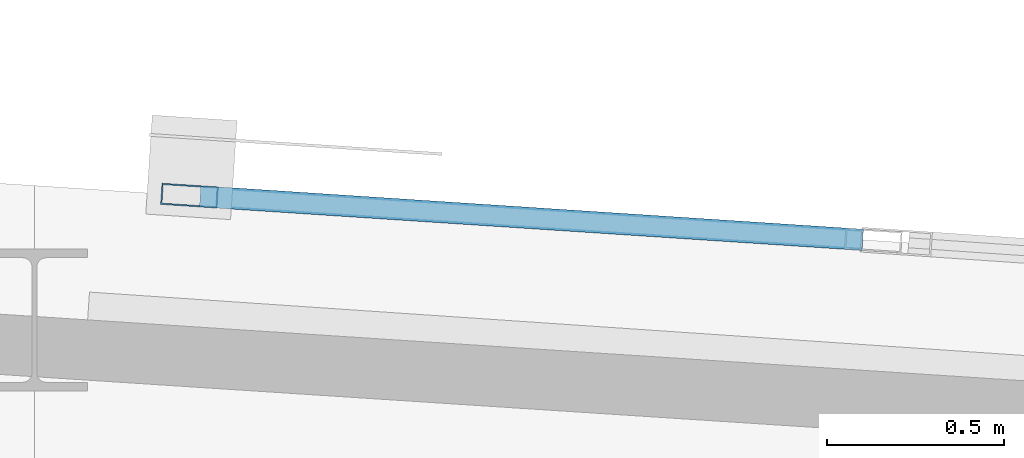
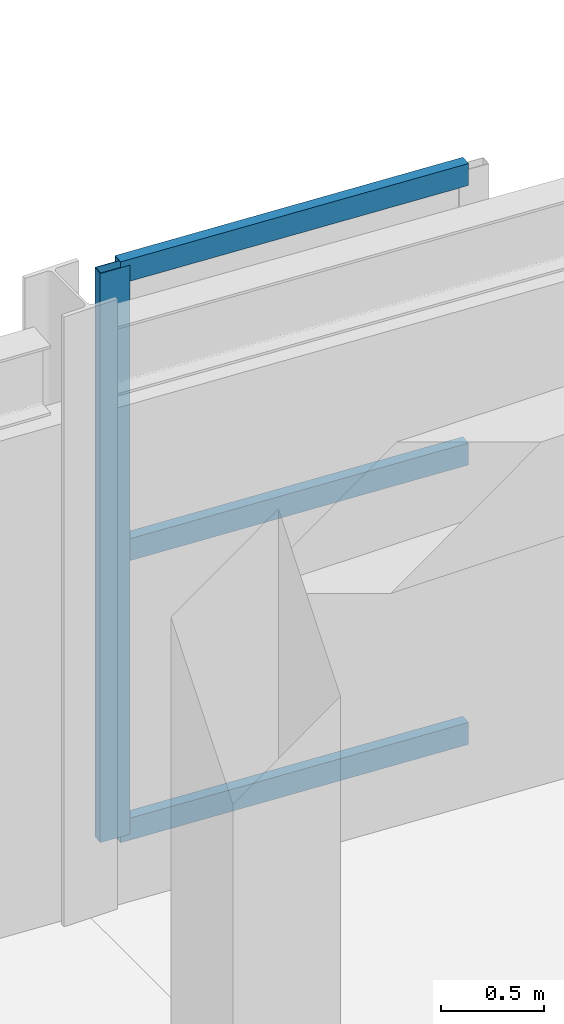
# One storey, part 22 of 51: 4 members, 1 element without a shape of its own.
"""IFC4 building model written with IfcOpenShell, lengths in metres."""

from ifc_helpers import new_model, si_unit, direction, frame, origin, origin_2d, place, context, subcontext, project, spatial, hollow_rectangle, extrude, material, layer, layer_set, material_profile, profile_set, type_object, element, aggregate, save


model = new_model("IFC4")

# Units and contexts
model_context = context("Model", 3, precision=1e-05, world=origin(), true_north=direction((0.0, 1.0)))
body_context = subcontext(model_context, "Body", "Model", "MODEL_VIEW")
ifc_project = project(units=[si_unit("LENGTHUNIT", "METRE"), si_unit("AREAUNIT", "SQUARE_METRE"), si_unit("VOLUMEUNIT", "CUBIC_METRE"), si_unit("PLANEANGLEUNIT", "RADIAN"), si_unit("MASSUNIT", "GRAM", prefix="KILO")], contexts=[model_context])

# Site, building, storey
site_placement = place(None, origin())
site = spatial("IfcSite", under=ifc_project, at=site_placement, CompositionType="ELEMENT")
building_placement = place(site_placement, origin())
building = spatial("IfcBuilding", under=site, at=building_placement, Name="Carrowvane Square Congress Hotel", CompositionType="ELEMENT")
storey_placement = place(building_placement, frame((0.0, 0.0, 30.0)))
storey = spatial("IfcBuildingStorey", under=building, at=storey_placement, Name="L07", CompositionType="ELEMENT", Elevation=30.0)

# Curtain wall, members
ifc_material_1 = material(Name="Anodised aluminium", Category="aluminium")
ifc_layer = layer(ifc_material_1, 0.2099609375)
ifc_layer_set = layer_set([ifc_layer], Name="Anodised aluminium")
curtain_wall_type = type_object("IfcCurtainWallType", Name="CW-SYS-5", PredefinedType="NOTDEFINED", material=ifc_layer_set)
curtain_wall_placement = place(storey_placement, origin())
curtain_wall = element("IfcCurtainWall", 1, at=curtain_wall_placement, inside=storey, type_object=curtain_wall_type, Name="L07 unitised curtain wall 444", PredefinedType="NOTDEFINED")
ifc_material_2 = material(Name="Anodised aluminium", Category="aluminium")
ifc_material_profile_1 = material_profile(ifc_material_2, hollow_rectangle(XDim=0.06005859375, YDim=0.159912109375, WallThickness=0.00390625, at=origin_2d()), Name="CW-ML 60x160x4")
ifc_profile_set_1 = profile_set([ifc_material_profile_1], Name="Anodised aluminium")
member_type_1 = type_object("IfcMemberType", Name="CW-MUL-1", PredefinedType="MULLION", material=ifc_profile_set_1)
member_1_placement = place(storey_placement, frame((127.23828125, 115.545654296875, 0.0), z_axis=(0.0, 0.0, 1.0), x_axis=(0.065413941589, 0.9978582145, 0.0)))
member_1 = element("IfcMember", 2, at=member_1_placement, type_object=member_type_1, Name="CW-5 mullion 1", PredefinedType="MULLION", context=body_context, shape_type="SweptSolid", body=[
    extrude(hollow_rectangle(XDim=0.06005859375, YDim=0.159912109375, WallThickness=0.00390625, at=origin_2d()), origin(), (0.0, 0.0, 1.0), 3.360107421875),
])
ifc_material_3 = material(Name="Anodised aluminium", Category="aluminium")
ifc_material_profile_2 = material_profile(ifc_material_3, hollow_rectangle(XDim=0.06005859375, YDim=0.1298828125, WallThickness=0.00390625, at=origin_2d()), Name="CW-TR 60x130x4")
ifc_profile_set_2 = profile_set([ifc_material_profile_2], Name="Anodised aluminium")
member_type_2 = type_object("IfcMemberType", Name="CW-TRN-1", PredefinedType="USERDEFINED", material=ifc_profile_set_2)
member_2_placement = place(storey_placement, frame((127.268310546875, 115.543701171875, 0.030029296875), z_axis=(0.997854858908, -0.065465109434, 0.0), x_axis=(0.065465109434, 0.997854858908, 0.0)))
member_2 = element("IfcMember", 3, at=member_2_placement, type_object=member_type_2, Name="CW-5 transom 1.1", ObjectType="TRANSOM", PredefinedType="USERDEFINED", context=body_context, shape_type="SweptSolid", body=[
    extrude(hollow_rectangle(XDim=0.06005859375, YDim=0.1298828125, WallThickness=0.00390625, at=origin_2d()), origin(), (0.0, 0.0, 1.0), 1.875732421875),
])
member_3_placement = place(storey_placement, frame((127.268310546875, 115.543701171875, 1.679931640625), z_axis=(0.997854858908, -0.065465109434, 0.0), x_axis=(0.065465109434, 0.997854858908, 0.0)))
member_3 = element("IfcMember", 4, at=member_3_placement, type_object=member_type_2, Name="CW-5 transom 1.2", ObjectType="TRANSOM", PredefinedType="USERDEFINED", context=body_context, shape_type="SweptSolid", body=[
    extrude(hollow_rectangle(XDim=0.06005859375, YDim=0.1298828125, WallThickness=0.00390625, at=origin_2d()), origin(), (0.0, 0.0, 1.0), 1.875732421875),
])
member_4_placement = place(storey_placement, frame((127.268310546875, 115.543701171875, 3.330078125), z_axis=(0.997854858908, -0.065465109434, 0.0), x_axis=(0.065465109434, 0.997854858908, 0.0)))
member_4 = element("IfcMember", 5, at=member_4_placement, type_object=member_type_2, Name="CW-5 transom 1.3", ObjectType="TRANSOM", PredefinedType="USERDEFINED", context=body_context, shape_type="SweptSolid", body=[
    extrude(hollow_rectangle(XDim=0.06005859375, YDim=0.1298828125, WallThickness=0.00390625, at=origin_2d()), origin(), (0.0, 0.0, 1.0), 1.875732421875),
])
aggregate(curtain_wall, [member_1, member_2, member_3, member_4])

save(model, "model.ifc")
